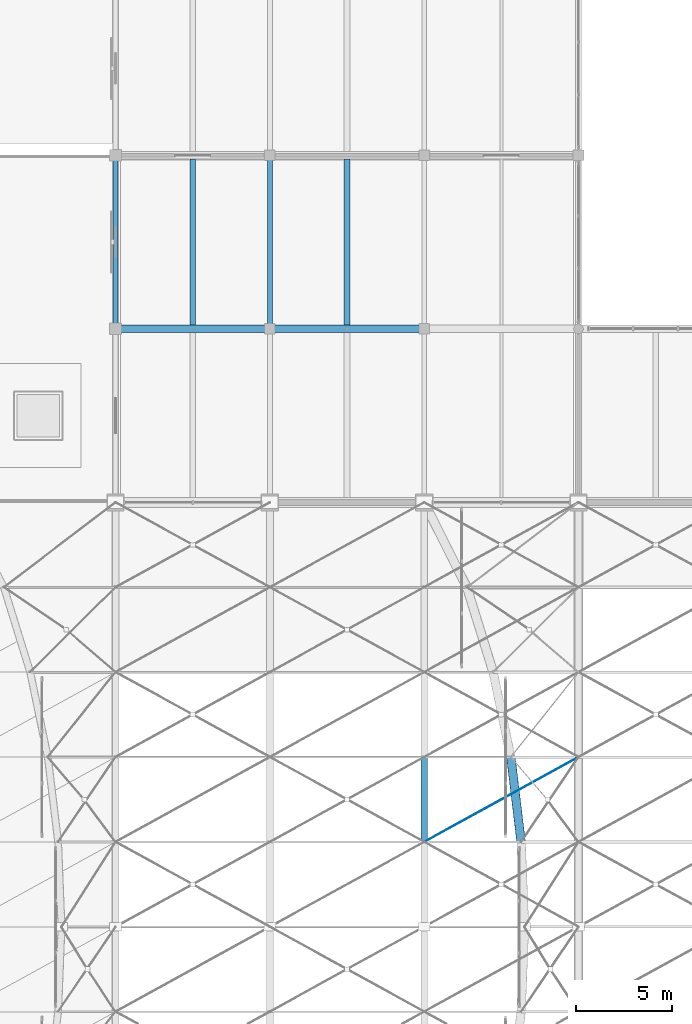
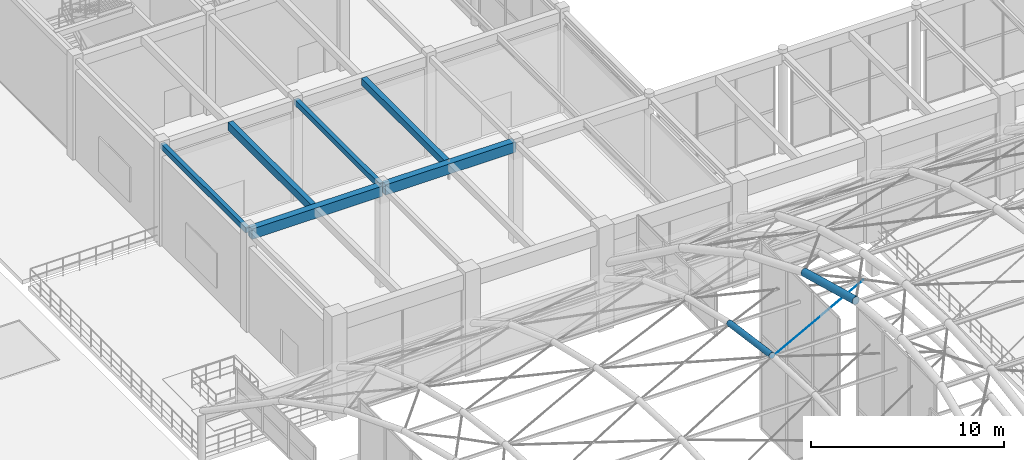
# One storey, part 57 of 163: 8 beams, 1 member.
"""IFC4 building model written with IfcOpenShell, lengths in metres."""

from ifc_helpers import new_model, si_unit, direction, frame, origin, origin_2d, place, context, subcontext, project, spatial, rectangle, circle, hollow_circle, extrude, material, material_profile, profile_set, type_object, element, save


model = new_model("IFC4")

# Units and contexts
model_context = context("Model", 3, precision=1e-05, world=origin(), true_north=direction((0.0, 1.0)))
body_context = subcontext(model_context, "Body", "Model", "MODEL_VIEW")
ifc_project = project(units=[si_unit("LENGTHUNIT", "METRE"), si_unit("AREAUNIT", "SQUARE_METRE"), si_unit("VOLUMEUNIT", "CUBIC_METRE"), si_unit("PLANEANGLEUNIT", "RADIAN"), si_unit("MASSUNIT", "GRAM", prefix="KILO")], contexts=[model_context])

# Site, building, storey
site_placement = place(None, origin())
site = spatial("IfcSite", under=ifc_project, at=site_placement, CompositionType="ELEMENT")
building_placement = place(site_placement, origin())
building = spatial("IfcBuilding", under=site, at=building_placement, Name="Varnabhumi Central Station", CompositionType="ELEMENT")
storey_placement = place(building_placement, frame((0.0, 0.0, 9.60009765625)))
storey = spatial("IfcBuildingStorey", under=building, at=storey_placement, Name="L02", CompositionType="ELEMENT", Elevation=9.60009765625)

# Beams
ifc_material_1 = material(Name="Structural steel E350", Category="steel")
ifc_material_profile_1 = material_profile(ifc_material_1, hollow_circle(Radius=0.177734375, WallThickness=0.012451171875, at=origin_2d()), Name="Structural steel E350", Category="steel")
ifc_profile_set_1 = profile_set([ifc_material_profile_1], Name="Structural steel E350")
beam_type_1 = type_object("IfcBeamType", Name="BM-ARCH-CHS355", PredefinedType="BEAM", material=ifc_profile_set_1)
beam_1_placement = place(storey_placement, frame((40.0, 62.39990234375, 8.79736328125), z_axis=(0.0, 0.99037356126, -0.138420407303), x_axis=(-1.0, 0.0, 0.0)))
element("IfcBeam", 1, at=beam_1_placement, inside=storey, type_object=beam_type_1, Name="Entrance Portico Vault Arch Rib 4 Seg 7", PredefinedType="BEAM", context=body_context, shape_type="SweptSolid", body=[
    extrude(hollow_circle(Radius=0.177734375, WallThickness=0.012451171875, at=origin_2d()), origin(), (0.0, 0.0, 1.0), 4.44287109375),
])
ifc_material_2 = material(Name="Structural steel E450", Category="steel")
ifc_material_profile_2 = material_profile(ifc_material_2, hollow_circle(Radius=0.228515625, WallThickness=0.01611328125, at=origin_2d()), Name="Structural steel E450", Category="steel")
ifc_profile_set_2 = profile_set([ifc_material_profile_2], Name="Structural steel E450")
beam_type_2 = type_object("IfcBeamType", Name="BM-ARCH-CHS457", PredefinedType="BEAM", material=ifc_profile_set_2)
beam_2_placement = place(storey_placement, frame((45.0244140625, 62.39990234375, 10.520263671875), z_axis=(-0.118784355014, 0.980691905822, -0.155350129896), x_axis=(-0.992744345989, -0.120244182838, 0.0)))
element("IfcBeam", 2, at=beam_2_placement, inside=storey, type_object=beam_type_2, Name="Ticket Hall Vault Arch Rib 1 Seg 7", PredefinedType="BEAM", context=body_context, shape_type="SweptSolid", body=[
    extrude(hollow_circle(Radius=0.228515625, WallThickness=0.01611328125, at=origin_2d()), origin(), (0.0, 0.0, 1.0), 4.48681640625),
])
ifc_material_3 = material(Name="Concrete M35", Category="concrete")
ifc_material_profile_3 = material_profile(ifc_material_3, rectangle(XDim=0.25, YDim=0.35009765625, at=origin_2d()), Name="Concrete M35", Category="concrete")
ifc_profile_set_3 = profile_set([ifc_material_profile_3], Name="Concrete M35")
beam_type_3 = type_object("IfcBeamType", Name="BM-RC-250x350", PredefinedType="LINTEL", material=ifc_profile_set_3)
for number, where, z_axis, x_axis, name in (
    (3, (24.0, 89.10009765625, 6.1748046875), (0.0, 1.0, 0.0), (-1.0, 0.0, 0.0), "Beam L02-4:L-M"),
    (4, (32.0, 89.10009765625, 6.1748046875), (0.0, 1.0, 0.0), (-1.0, 0.0, 0.0), "Beam L02-5:L-M"),
):
    element("IfcBeam", number, at=place(storey_placement, frame(where, z_axis=z_axis, x_axis=x_axis)), inside=storey, type_object=beam_type_3, Name=name, PredefinedType="LINTEL", context=body_context, shape_type="SweptSolid", body=[
        extrude(rectangle(XDim=0.25, YDim=0.35009765625, at=origin_2d()), origin(), (0.0, 0.0, 1.0), 8.7998046875),
    ])
ifc_material_4 = material(Name="Concrete M40", Category="concrete")
ifc_material_profile_4 = material_profile(ifc_material_4, rectangle(XDim=0.300048828125, YDim=0.449951171875, at=origin_2d()), Name="Concrete M40", Category="concrete")
ifc_profile_set_4 = profile_set([ifc_material_profile_4], Name="Concrete M40")
beam_type_4 = type_object("IfcBeamType", Name="BM-RC-300x450", PredefinedType="JOIST", material=ifc_profile_set_4)
beam_3_placement = place(storey_placement, frame((36.0, 89.199951171875, 6.125), z_axis=(0.0, 1.0, 0.0), x_axis=(-1.0, 0.0, 0.0)))
element("IfcBeam", 5, at=beam_3_placement, inside=storey, type_object=beam_type_4, Name="Secondary Joist L02-5/6:L-M", PredefinedType="JOIST", context=body_context, shape_type="SweptSolid", body=[
    extrude(rectangle(XDim=0.300048828125, YDim=0.449951171875, at=origin_2d()), origin(), (0.0, 0.0, 1.0), 8.60009765625),
])
ifc_material_profile_5 = material_profile(ifc_material_4, rectangle(XDim=0.300048828125, YDim=0.5, at=origin_2d()), Name="Concrete M40", Category="concrete")
ifc_profile_set_5 = profile_set([ifc_material_profile_5], Name="Concrete M40")
beam_type_5 = type_object("IfcBeamType", Name="BM-RC-300x500", PredefinedType="JOIST", material=ifc_profile_set_5)
beam_4_placement = place(storey_placement, frame((28.0, 89.199951171875, 6.099853515625), z_axis=(0.0, 1.0, 0.0), x_axis=(-1.0, 0.0, 0.0)))
element("IfcBeam", 6, at=beam_4_placement, inside=storey, type_object=beam_type_5, Name="Secondary Joist L02-4/5:L-M", PredefinedType="JOIST", context=body_context, shape_type="SweptSolid", body=[
    extrude(rectangle(XDim=0.300048828125, YDim=0.5, at=origin_2d()), origin(), (0.0, 0.0, 1.0), 8.60009765625),
])
ifc_material_profile_6 = material_profile(ifc_material_4, rectangle(XDim=0.39990234375, YDim=0.64990234375, at=origin_2d()), Name="Concrete M40", Category="concrete")
ifc_profile_set_6 = profile_set([ifc_material_profile_6], Name="Concrete M40")
beam_type_6 = type_object("IfcBeamType", Name="BM-RC-400x650", PredefinedType="BEAM", material=ifc_profile_set_6)
for number, where, z_axis, x_axis, name in (
    (7, (24.10009765625, 89.0, 6.02490234375), (1.0, 0.0, 0.0), (0.0, 1.0, 0.0), "Beam L02-L:4-5"),
    (8, (32.10009765625, 89.0, 6.02490234375), (1.0, 0.0, 0.0), (0.0, 1.0, 0.0), "Beam L02-L:5-6"),
):
    element("IfcBeam", number, at=place(storey_placement, frame(where, z_axis=z_axis, x_axis=x_axis)), inside=storey, type_object=beam_type_6, Name=name, PredefinedType="BEAM", context=body_context, shape_type="SweptSolid", body=[
        extrude(rectangle(XDim=0.39990234375, YDim=0.64990234375, at=origin_2d()), origin(), (0.0, 0.0, 1.0), 7.7998046875),
    ])

# Member
ifc_material_5 = material(Name="Spiral-strand steel S1570", Category="steel")
ifc_material_profile_7 = material_profile(ifc_material_5, circle(Radius=0.01806640625, at=origin_2d()), Name="Spiral-strand steel S1570", Category="steel")
ifc_profile_set_7 = profile_set([ifc_material_profile_7], Name="Spiral-strand steel S1570")
member_type = type_object("IfcMemberType", Name="MBR-CABLE-D36", PredefinedType="USERDEFINED", material=ifc_profile_set_7)
member_placement = place(storey_placement, frame((40.0, 62.39990234375, 8.71728515625), z_axis=(0.874228176797, 0.480841504835, -0.067205223918), x_axis=(-0.481931067474, 0.876209133828, 0.0)))
element("IfcMember", 9, at=member_placement, inside=storey, type_object=member_type, Name="Entrance Portico Vault Cable-Net Tie B4-P7A", ObjectType="TENSION CABLE", PredefinedType="USERDEFINED", context=body_context, shape_type="SweptSolid", body=[
    extrude(circle(Radius=0.01806640625, at=origin_2d()), origin(), (0.0, 0.0, 1.0), 9.15087890625),
])

save(model, "model.ifc")
